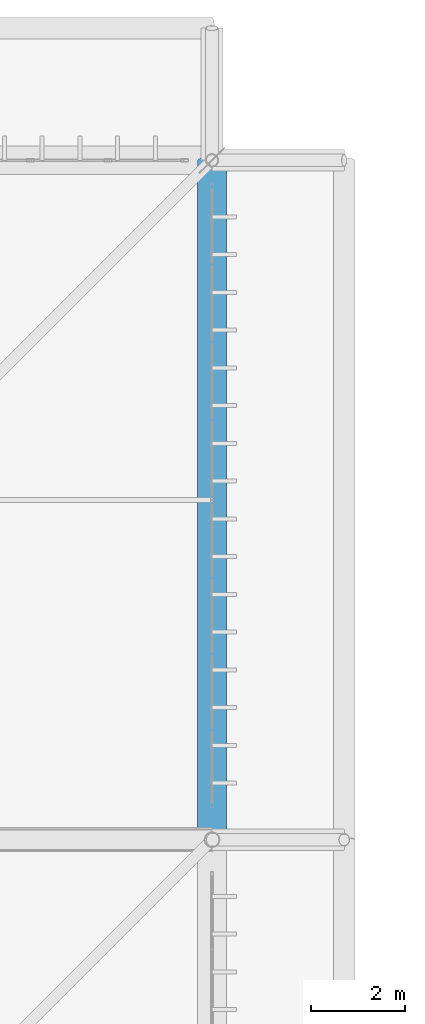
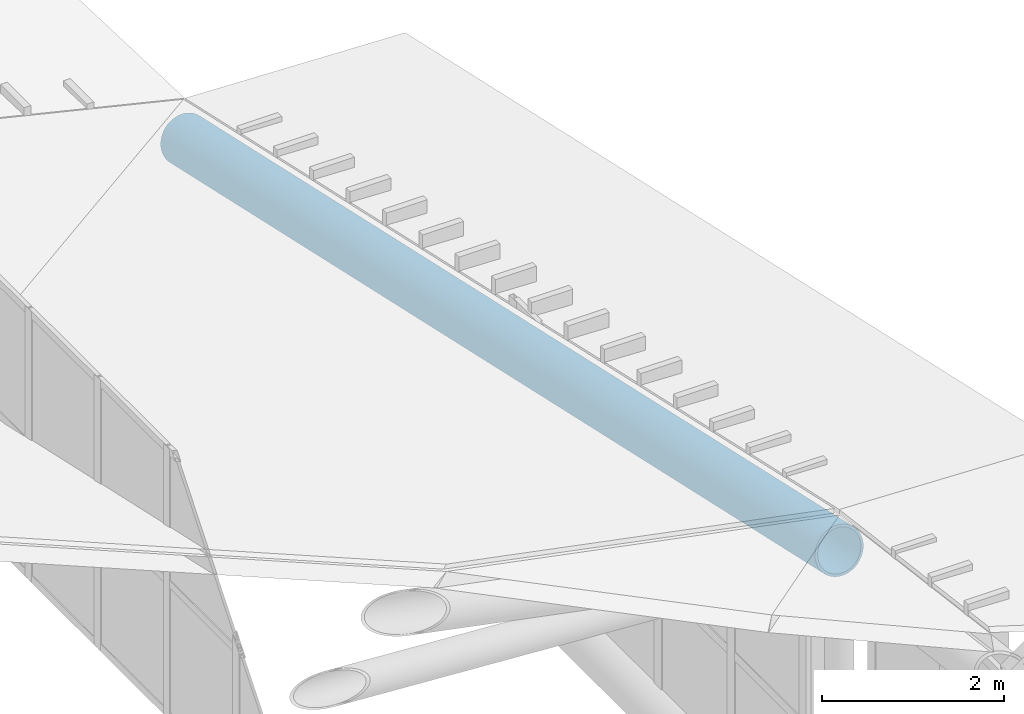
# One storey, part 345 of 397: 1 beam.
"""IFC4 building model written with IfcOpenShell, lengths in metres."""

from ifc_helpers import new_model, si_unit, direction, frame, origin, origin_2d, place, context, subcontext, project, spatial, hollow_circle, extrude, material, material_profile, profile_set, type_object, element, save


model = new_model("IFC4")

# Units and contexts
model_context = context("Model", 3, precision=1e-05, world=origin(), true_north=direction((0.0, 1.0)))
body_context = subcontext(model_context, "Body", "Model", "MODEL_VIEW")
ifc_project = project(units=[si_unit("LENGTHUNIT", "METRE"), si_unit("AREAUNIT", "SQUARE_METRE"), si_unit("VOLUMEUNIT", "CUBIC_METRE"), si_unit("PLANEANGLEUNIT", "RADIAN"), si_unit("MASSUNIT", "GRAM", prefix="KILO")], contexts=[model_context])

# Site, building, storey
site_placement = place(None, origin())
site = spatial("IfcSite", under=ifc_project, at=site_placement, CompositionType="ELEMENT")
building_placement = place(site_placement, origin())
building = spatial("IfcBuilding", under=site, at=building_placement, Name="Qandorah Velis Arena", CompositionType="ELEMENT")
storey_placement = place(building_placement, frame((0.0, 0.0, 27.5)))
storey = spatial("IfcBuildingStorey", under=building, at=storey_placement, Name="RF", CompositionType="ELEMENT", Elevation=27.5)

# Beam
ifc_material = material(Name="Steel S460", Category="steel")
ifc_material_profile = material_profile(ifc_material, hollow_circle(Radius=0.304931640625, WallThickness=0.031982421875, at=origin_2d()), Name="CHS 610x32")
ifc_profile_set = profile_set([ifc_material_profile], Name="Steel S460")
beam_type = type_object("IfcBeamType", Name="STR-SFC-CHS610X32", PredefinedType="USERDEFINED", material=ifc_profile_set)
beam_placement = place(storey_placement, frame((115.199951171875, 100.800048828125, 4.6083984375), z_axis=(0.0, 0.976064640799, -0.217480612888), x_axis=(-1.0, 0.0, 0.0)))
element("IfcBeam", 1, at=beam_placement, inside=storey, type_object=beam_type, Name="Space frame roof truss top chord Y 7.6", ObjectType="ROOF TRUSS", PredefinedType="USERDEFINED", context=body_context, shape_type="SweptSolid", body=[
    extrude(hollow_circle(Radius=0.304931640625, WallThickness=0.031982421875, at=origin_2d()), origin(), (0.0, 0.0, 1.0), 14.7529296875),
])

save(model, "model.ifc")
